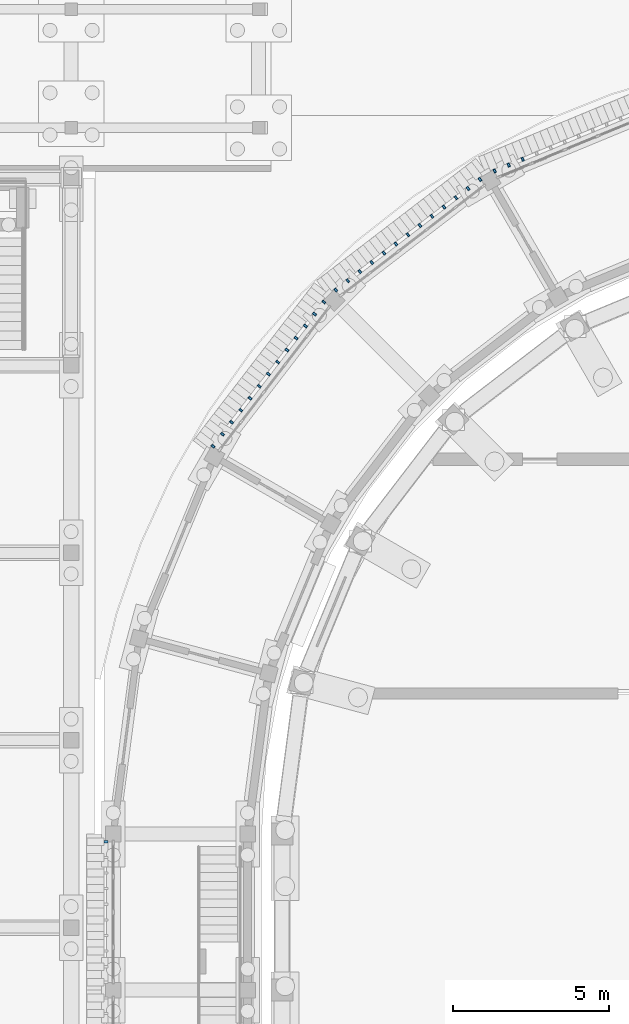
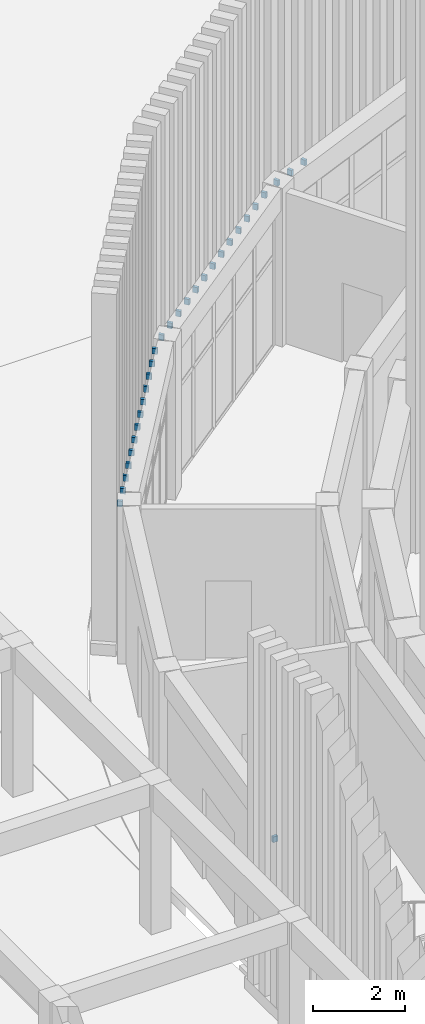
# One storey, part 86 of 112: 30 discrete accessories.
"""IFC4 building model written with IfcOpenShell, lengths in metres."""

import ifcopenshell
import ifcopenshell.guid

model = None  # the IFC model being written
_history = None  # IfcOwnerHistory: only IFC2X3 demands one
_inside = {}  # id of a spatial element -> (the spatial element, [elements in it])
_under = {}  # id of a project, library or spatial element -> (it, [spatial elements below it])
_declared = {}  # id of a project -> (the project, [libraries it declares])
_typed = {}  # id of a type object -> (the type object, [elements of that type])
_made_of = {}  # id of a material, layer set ... -> (it, [elements and type objects made of it])


def new_model(schema):
    """Start an empty IFC model of exactly this schema.

    Asked for "IFC4X3", IfcOpenShell would pick the latest addendum, in which some entities
    have other attributes; the version numbers below select the first issue.
    IFC2X3 requires an IfcOwnerHistory on every rooted entity: one is made here for all.
    """
    global model, _history
    if schema == "IFC4X3":
        model = ifcopenshell.file(schema_version=(4, 3, 0, 0))
    else:
        model = ifcopenshell.file(schema=schema)
    _inside.clear()
    _under.clear()
    _declared.clear()
    _typed.clear()
    _made_of.clear()
    _history = None
    if model.schema == "IFC2X3":
        org = make("IfcOrganization", Name="unknown")
        user = make(
            "IfcPersonAndOrganization",
            ThePerson=make("IfcPerson", FamilyName="unknown"),
            TheOrganization=org,
        )
        app = make(
            "IfcApplication",
            ApplicationDeveloper=org,
            Version="unknown",
            ApplicationFullName="unknown",
            ApplicationIdentifier="unknown",
        )
        _history = make(
            "IfcOwnerHistory",
            OwningUser=user,
            OwningApplication=app,
            ChangeAction="ADDED",
            CreationDate=0,
        )
    return model


def make(cls, **values):
    """One entity of the class cls with the attributes given. An attribute that is None is left unset."""
    return model.create_entity(
        cls, **{name: value for name, value in values.items() if value is not None}
    )


def rooted(cls, **values):
    """An entity with a GlobalId (a new one), such as an element, a storey or a relation."""
    return make(cls, GlobalId=ifcopenshell.guid.new(), OwnerHistory=_history, **values)


def si_unit(unit_type, name, prefix=None):
    """IfcSIUnit, for example si_unit("LENGTHUNIT", "METRE", prefix="MILLI")."""
    return make("IfcSIUnit", UnitType=unit_type, Prefix=prefix, Name=name)


def assignment(units):
    """IfcUnitAssignment: the units of a project."""
    return None if units is None else make("IfcUnitAssignment", Units=units)


def point(xyz):
    """IfcCartesianPoint."""
    return None if xyz is None else make("IfcCartesianPoint", Coordinates=xyz)


def direction(xyz):
    """IfcDirection."""
    return None if xyz is None else make("IfcDirection", DirectionRatios=xyz)


def frame(location, z_axis=None, x_axis=None):
    """IfcAxis2Placement3D, a coordinate frame: its origin and axes. An axis left out is left unset."""
    return make(
        "IfcAxis2Placement3D",
        Location=point(location),
        Axis=direction(z_axis),
        RefDirection=direction(x_axis),
    )


def frame_2d(location, x_axis=None):
    """IfcAxis2Placement2D, a coordinate frame in the plane: its origin and x axis."""
    return make(
        "IfcAxis2Placement2D", Location=point(location), RefDirection=direction(x_axis)
    )


def origin():
    """The frame at (0, 0, 0) with its axes left unset."""
    return frame((0.0, 0.0, 0.0))


def origin_2d():
    """The frame at (0, 0) in the plane with its x axis left unset."""
    return frame_2d((0.0, 0.0))


def place(relative_to, where):
    """IfcLocalPlacement: puts the frame where relative to a parent placement (None: the world)."""
    return make(
        "IfcLocalPlacement", PlacementRelTo=relative_to, RelativePlacement=where
    )


def context(
    kind, dimensions, precision=None, world=None, true_north=None, identifier=None
):
    """IfcGeometricRepresentationContext, for example the 3D "Model" context."""
    return make(
        "IfcGeometricRepresentationContext",
        ContextIdentifier=identifier,
        ContextType=kind,
        CoordinateSpaceDimension=dimensions,
        Precision=precision,
        WorldCoordinateSystem=world,
        TrueNorth=true_north,
    )


def subcontext(parent, identifier, kind, view, scale=None):
    """IfcGeometricRepresentationSubContext, for example "Body" below "Model"."""
    return make(
        "IfcGeometricRepresentationSubContext",
        ContextIdentifier=identifier,
        ContextType=kind,
        ParentContext=parent,
        TargetScale=scale,
        TargetView=view,
    )


def project(units=None, contexts=None):
    """IfcProject with its units and contexts."""
    return rooted(
        "IfcProject",
        Name="project",
        RepresentationContexts=contexts,
        UnitsInContext=assignment(units),
    )


def spatial(cls, under=None, at=None, **own):
    """A site, building, storey or space (cls), placed at a placement, below another one or the project."""
    s = rooted(cls, ObjectPlacement=at, **own)
    if under is not None:
        _under.setdefault(under.id(), (under, []))[1].append(s)
    return s


def profile(cls, at=None, kind="AREA", **sizes):
    """A parametric profile (cls). Its sizes go by their IFC names, for example OverallWidth=200.0."""
    return make(cls, ProfileType=kind, Position=at, **sizes)


def rectangle(**sizes):
    """IfcRectangleProfileDef."""
    return profile("IfcRectangleProfileDef", **sizes)


def extrude(swept, where, along, depth):
    """IfcExtrudedAreaSolid: the profile swept, set in the frame where, extruded along a direction by depth."""
    return make(
        "IfcExtrudedAreaSolid",
        SweptArea=swept,
        Position=where,
        ExtrudedDirection=direction(along),
        Depth=depth,
    )


def shape(context_of_items, identifier, shape_type, items):
    """IfcShapeRepresentation: the items that make up one representation, for example the "Body"."""
    return make(
        "IfcShapeRepresentation",
        ContextOfItems=context_of_items,
        RepresentationIdentifier=identifier,
        RepresentationType=shape_type,
        Items=items,
    )


def material(Name=None, Category=None):
    """IfcMaterial."""
    return make("IfcMaterial", Name=Name, Category=Category)


def made_of(thing, what):
    """Note that an element or type object is made of a material, layer set ...; save() writes the relation."""
    if what is not None:
        _made_of.setdefault(what.id(), (what, []))[1].append(thing)
    return thing


def type_object(cls, material=None, **own):
    """A type object (cls), such as IfcWallType, which elements share."""
    return made_of(rooted(cls, **own), material)


def element(
    cls,
    number,
    at=None,
    inside=None,
    cuts=None,
    type_object=None,
    material=None,
    context=None,
    identifier="Body",
    shape_type=None,
    held_by="IfcProductDefinitionShape",
    body=None,
    shapes=None,
    **own,
):
    """One element of the class cls, such as IfcWall. Its Tag is "e" and its number.

    at: its placement. inside: the storey or other place that contains it. cuts: it is an
    opening in that element (IfcRelVoidsElement). A single representation is given by context,
    identifier, shape_type and body (its items); several are given by shapes. held_by: the class
    of the entity that holds the representations. save() writes the other relations.
    """
    e = rooted(cls, Tag="e%d" % number, ObjectPlacement=at, **own)
    if body is not None:
        shapes = [shape(context, identifier, shape_type, body)]
    if shapes is not None:
        e.Representation = make(held_by, Representations=shapes)
    if inside is not None:
        _inside.setdefault(inside.id(), (inside, []))[1].append(e)
    if cuts is not None:
        rooted(
            "IfcRelVoidsElement", RelatingBuildingElement=cuts, RelatedOpeningElement=e
        )
    if type_object is not None:
        _typed.setdefault(type_object.id(), (type_object, []))[1].append(e)
    return made_of(e, material)


def aggregate(whole, parts):
    """IfcRelAggregates: a whole, such as a stair, and the parts it consists of."""
    return rooted("IfcRelAggregates", RelatingObject=whole, RelatedObjects=parts)


def save(model, path):
    """Write the relations noted so far, then the file.

    IfcRelAggregates (storeys below a building ...), IfcRelContainedInSpatialStructure (elements
    in a storey), IfcRelDefinesByType, IfcRelAssociatesMaterial and IfcRelDeclares: one each for
    every whole, place, type object, material and project.
    """
    for whole, parts in _under.values():
        aggregate(whole, parts)
    for where, things in _inside.values():
        rooted(
            "IfcRelContainedInSpatialStructure",
            RelatedElements=things,
            RelatingStructure=where,
        )
    for kind, things in _typed.values():
        rooted("IfcRelDefinesByType", RelatedObjects=things, RelatingType=kind)
    for what, things in _made_of.values():
        rooted("IfcRelAssociatesMaterial", RelatedObjects=things, RelatingMaterial=what)
    for by, libraries in _declared.values():
        rooted("IfcRelDeclares", RelatingContext=by, RelatedDefinitions=libraries)
    model.write(path)


model = new_model("IFC4")

# Units and contexts
model_context = context("Model", 3, precision=1e-05, world=origin(), true_north=direction((0.0, 1.0)))
body_context = subcontext(model_context, "Body", "Model", "MODEL_VIEW")
ifc_project = project(units=[si_unit("LENGTHUNIT", "METRE"), si_unit("AREAUNIT", "SQUARE_METRE"), si_unit("VOLUMEUNIT", "CUBIC_METRE"), si_unit("PLANEANGLEUNIT", "RADIAN"), si_unit("MASSUNIT", "GRAM", prefix="KILO")], contexts=[model_context])

# Site, building, storey
site_placement = place(None, origin())
site = spatial("IfcSite", under=ifc_project, at=site_placement, CompositionType="ELEMENT")
building_placement = place(site_placement, origin())
building = spatial("IfcBuilding", under=site, at=building_placement, Name="Wasatch Bagh Community Centre", CompositionType="ELEMENT")
storey_placement = place(building_placement, origin())
storey = spatial("IfcBuildingStorey", under=building, at=storey_placement, Name="L00", CompositionType="ELEMENT", Elevation=0.0)

# Discrete accessories
ifc_material = material(Name="ASTM A36 steel", Category="steel")
discrete_accessory_type = type_object("IfcDiscreteAccessoryType", Name="Drum fin bracket", PredefinedType="BRACKET", material=ifc_material)
for number, where, z_axis, x_axis, name in (
    (1, (24.955078125, 86.595703125, 3.824951171875), (0.0, 0.0, 1.0), (-0.923879532511, -0.382683432365, 0.0), "Fin bracket 26.11.1"),
    (2, (24.507080078125, 86.409912109375, 3.824951171875), (0.0, 0.0, 1.0), (-0.923879532511, -0.382683432365, 0.0), "Fin bracket 26.12.1"),
    (3, (24.05908203125, 86.224365234375, 3.824951171875), (0.0, 0.0, 1.0), (-0.923879532511, -0.382683432365, 0.0), "Fin bracket 26.13.1"),
    (4, (23.589599609375, 85.953369140625, 3.824951171875), (0.0, 0.0, 1.0), (-0.793353340291, -0.608761429009, 0.0), "Fin bracket 27.1.1"),
    (5, (23.204833984375, 85.658203125, 3.824951171875), (0.0, 0.0, 1.0), (-0.793353340291, -0.608761429009, 0.0), "Fin bracket 27.2.1"),
    (6, (22.820068359375, 85.36279296875, 3.824951171875), (0.0, 0.0, 1.0), (-0.793353340291, -0.608761429009, 0.0), "Fin bracket 27.3.1"),
    (7, (22.435302734375, 85.067626953125, 3.824951171875), (0.0, 0.0, 1.0), (-0.793353340291, -0.608761429009, 0.0), "Fin bracket 27.4.1"),
    (8, (22.050537109375, 84.7724609375, 3.824951171875), (0.0, 0.0, 1.0), (-0.793353340291, -0.608761429009, 0.0), "Fin bracket 27.5.1"),
    (9, (21.665771484375, 84.477294921875, 3.824951171875), (0.0, 0.0, 1.0), (-0.793353340291, -0.608761429009, 0.0), "Fin bracket 27.6.1"),
    (10, (21.281005859375, 84.18212890625, 3.824951171875), (0.0, 0.0, 1.0), (-0.793353340291, -0.608761429009, 0.0), "Fin bracket 27.7.1"),
    (11, (20.896484375, 83.88671875, 3.824951171875), (0.0, 0.0, 1.0), (-0.793353340291, -0.608761429009, 0.0), "Fin bracket 27.8.1"),
    (12, (20.51171875, 83.591552734375, 3.824951171875), (0.0, 0.0, 1.0), (-0.793353340291, -0.608761429009, 0.0), "Fin bracket 27.9.1"),
    (13, (20.126953125, 83.29638671875, 3.824951171875), (0.0, 0.0, 1.0), (-0.793353340291, -0.608761429009, 0.0), "Fin bracket 27.10.1"),
    (14, (19.7421875, 83.001220703125, 3.824951171875), (0.0, 0.0, 1.0), (-0.793353340291, -0.608761429009, 0.0), "Fin bracket 27.11.1"),
    (15, (19.357421875, 82.705810546875, 3.824951171875), (0.0, 0.0, 1.0), (-0.793353340291, -0.608761429009, 0.0), "Fin bracket 27.12.1"),
    (16, (18.97265625, 82.41064453125, 3.824951171875), (0.0, 0.0, 1.0), (-0.793353340291, -0.608761429009, 0.0), "Fin bracket 27.13.1"),
    (17, (18.58935546875, 82.02734375, 3.824951171875), (0.0, 0.0, 1.0), (-0.608761429009, -0.793353340291, 0.0), "Fin bracket 28.1.1"),
    (18, (18.294189453125, 81.642578125, 3.824951171875), (0.0, 0.0, 1.0), (-0.608761429009, -0.793353340291, 0.0), "Fin bracket 28.2.1"),
    (19, (17.998779296875, 81.2578125, 3.824951171875), (0.0, 0.0, 1.0), (-0.608761429009, -0.793353340291, 0.0), "Fin bracket 28.3.1"),
    (20, (17.70361328125, 80.873046875, 3.824951171875), (0.0, 0.0, 1.0), (-0.608761429009, -0.793353340291, 0.0), "Fin bracket 28.4.1"),
    (21, (17.408447265625, 80.48828125, 3.824951171875), (0.0, 0.0, 1.0), (-0.608761429009, -0.793353340291, 0.0), "Fin bracket 28.5.1"),
    (22, (17.11328125, 80.103515625, 3.824951171875), (0.0, 0.0, 1.0), (-0.608761429009, -0.793353340291, 0.0), "Fin bracket 28.6.1"),
    (23, (16.81787109375, 79.718994140625, 3.824951171875), (0.0, 0.0, 1.0), (-0.608761429009, -0.793353340291, 0.0), "Fin bracket 28.7.1"),
    (24, (16.522705078125, 79.334228515625, 3.824951171875), (0.0, 0.0, 1.0), (-0.608761429009, -0.793353340291, 0.0), "Fin bracket 28.8.1"),
    (25, (16.2275390625, 78.949462890625, 3.824951171875), (0.0, 0.0, 1.0), (-0.608761429009, -0.793353340291, 0.0), "Fin bracket 28.9.1"),
    (26, (15.932373046875, 78.564697265625, 3.824951171875), (0.0, 0.0, 1.0), (-0.608761429009, -0.793353340291, 0.0), "Fin bracket 28.10.1"),
    (27, (15.63720703125, 78.179931640625, 3.824951171875), (0.0, 0.0, 1.0), (-0.608761429009, -0.793353340291, 0.0), "Fin bracket 28.11.1"),
    (28, (15.341796875, 77.795166015625, 3.824951171875), (0.0, 0.0, 1.0), (-0.608761429009, -0.793353340291, 0.0), "Fin bracket 28.12.1"),
    (29, (15.046630859375, 77.410400390625, 3.824951171875), (0.0, 0.0, 1.0), (-0.608761429009, -0.793353340291, 0.0), "Fin bracket 28.13.1"),
    (30, (11.614990234375, 64.75, 3.824951171875), (0.0, 0.0, 1.0), (0.0, -1.0, 0.0), "Fin bracket 31.1.1"),
):
    element("IfcDiscreteAccessory", number, at=place(storey_placement, frame(where, z_axis=z_axis, x_axis=x_axis)), inside=storey, type_object=discrete_accessory_type, Name=name, PredefinedType="BRACKET", context=body_context, shape_type="SweptSolid", body=[
        extrude(rectangle(XDim=0.070068359375, YDim=0.1201171875, at=origin_2d()), origin(), (0.0, 0.0, 1.0), 0.14990234375),
    ])

save(model, "model.ifc")
